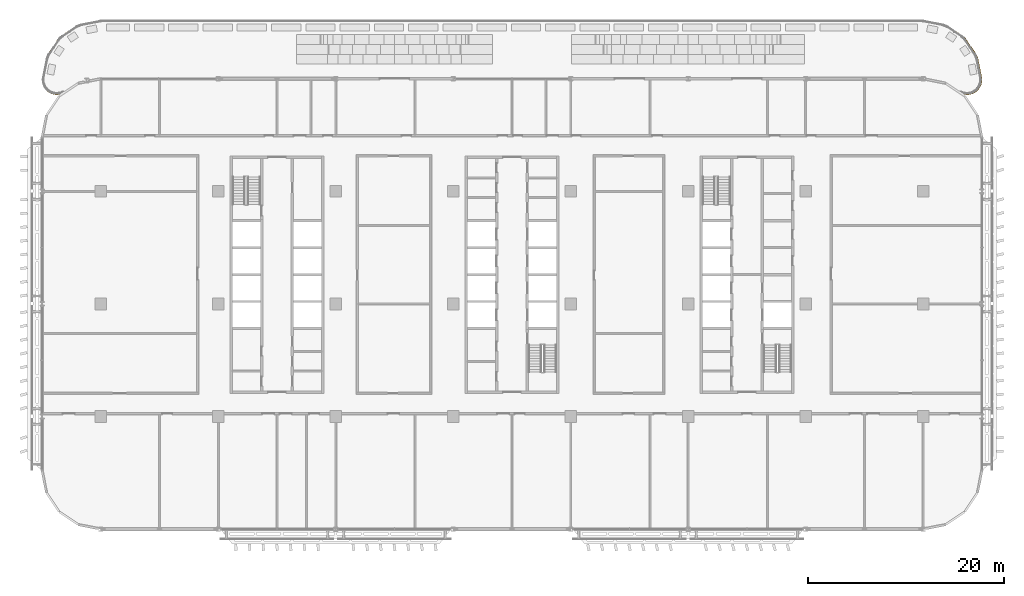
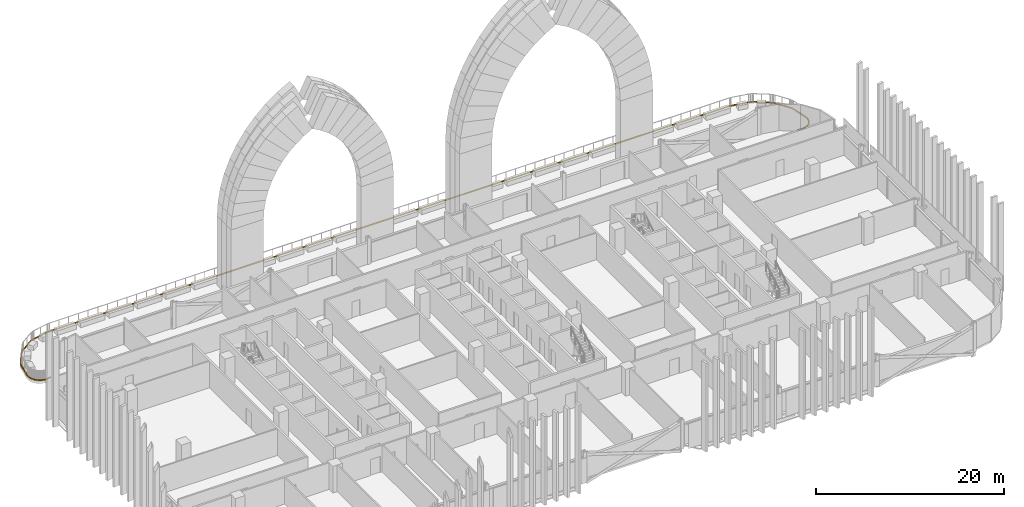
# One storey, part 26 of 30: 1 covering.
"""IFC4 building model written with IfcOpenShell, lengths in metres."""

from ifc_helpers import new_model, si_unit, direction, frame, origin, place, context, subcontext, project, spatial, polyline, outline, extrude, material, layer, layer_set, type_object, element, save


model = new_model("IFC4")

# Units and contexts
model_context = context("Model", 3, precision=1e-05, world=origin(), true_north=direction((0.0, 1.0)))
body_context = subcontext(model_context, "Body", "Model", "MODEL_VIEW")
ifc_project = project(units=[si_unit("LENGTHUNIT", "METRE"), si_unit("AREAUNIT", "SQUARE_METRE"), si_unit("VOLUMEUNIT", "CUBIC_METRE"), si_unit("PLANEANGLEUNIT", "RADIAN"), si_unit("MASSUNIT", "GRAM", prefix="KILO")], contexts=[model_context])

# Site, building, storey
site_placement = place(None, origin())
site = spatial("IfcSite", under=ifc_project, at=site_placement, CompositionType="ELEMENT")
building_placement = place(site_placement, origin())
building = spatial("IfcBuilding", under=site, at=building_placement, Name="Mahtab Terrace Research Tower", CompositionType="ELEMENT")
storey_placement = place(building_placement, frame((0.0, 0.0, 159.199951171875)))
storey = spatial("IfcBuildingStorey", under=building, at=storey_placement, Name="L37", CompositionType="ELEMENT", Elevation=159.199951171875)

# Covering
ifc_material = material(Name="Precast concrete C40/50", Category="concrete")
ifc_layer = layer(ifc_material, 0.199951171875)
ifc_layer_set = layer_set([ifc_layer], Name="Precast coping 400")
covering_type = type_object("IfcCoveringType", Name="Precast coping 400", PredefinedType="MOLDING", material=ifc_layer_set)
covering_placement = place(storey_placement, frame((0.0, 0.0, 0.030029296875)))
element("IfcCovering", 1, at=covering_placement, inside=storey, type_object=covering_type, Name="Terrace edge coping 4.1", PredefinedType="MOLDING", context=body_context, shape_type="SweptSolid", body=[
    extrude(outline(polyline([(46.087890625, 21.5390625), (46.221923828125, 21.5048828125), (46.35791015625, 21.485107421875), (46.4951171875, 21.47802734375), (46.632080078125, 21.485107421875), (46.76708984375, 21.5048828125), (46.90087890625, 21.5390625), (47.031005859375, 21.5849609375), (47.155029296875, 21.64306640625), (47.27197265625, 21.714111328125), (47.383056640625, 21.797119140625), (47.485107421875, 21.887939453125), (47.575927734375, 21.989990234375), (47.658935546875, 22.10107421875), (47.72998046875, 22.218017578125), (47.7880859375, 22.342041015625), (47.833984375, 22.471923828125), (47.867919921875, 22.60595703125), (47.887939453125, 22.740966796875), (47.89501953125, 22.8779296875), (47.887939453125, 23.014892578125), (47.866943359375, 23.154052734375), (47.5029296875, 24.98095703125), (47.469970703125, 25.116943359375), (47.424072265625, 25.2470703125), (47.364990234375, 25.37109375), (47.29296875, 25.490966796875), (46.325927734375, 26.93798828125), (46.243896484375, 27.050048828125), (46.15087890625, 27.15087890625), (46.050048828125, 27.243896484375), (45.93798828125, 27.325927734375), (44.490966796875, 28.29296875), (44.37109375, 28.364990234375), (44.2470703125, 28.424072265625), (44.116943359375, 28.469970703125), (43.98095703125, 28.5029296875), (42.1279296875, 28.8720703125), (41.989013671875, 28.89306640625), (41.85009765625, 28.89990234375), (-41.85009765625, 28.89990234375), (-41.989013671875, 28.89306640625), (-42.1279296875, 28.8720703125), (-43.98095703125, 28.5029296875), (-44.116943359375, 28.469970703125), (-44.2470703125, 28.424072265625), (-44.37109375, 28.364990234375), (-44.490966796875, 28.29296875), (-45.93798828125, 27.325927734375), (-46.050048828125, 27.243896484375), (-46.15087890625, 27.15087890625), (-46.243896484375, 27.050048828125), (-46.325927734375, 26.93798828125), (-47.29296875, 25.490966796875), (-47.364990234375, 25.37109375), (-47.424072265625, 25.2470703125), (-47.469970703125, 25.116943359375), (-47.5029296875, 24.98095703125), (-47.866943359375, 23.154052734375), (-47.887939453125, 23.014892578125), (-47.89501953125, 22.8779296875), (-47.887939453125, 22.740966796875), (-47.867919921875, 22.60595703125), (-47.833984375, 22.471923828125), (-47.7880859375, 22.342041015625), (-47.72998046875, 22.218017578125), (-47.658935546875, 22.10107421875), (-47.575927734375, 21.989990234375), (-47.485107421875, 21.887939453125), (-47.383056640625, 21.797119140625), (-47.27197265625, 21.714111328125), (-47.155029296875, 21.64306640625), (-47.031005859375, 21.5849609375), (-46.90087890625, 21.5390625), (-46.76708984375, 21.5048828125), (-46.632080078125, 21.485107421875), (-46.4951171875, 21.47802734375), (-46.35791015625, 21.485107421875), (-46.221923828125, 21.5048828125), (-46.087890625, 21.5390625), (-45.9609375, 21.583984375), (-45.927978515625, 21.489990234375), (-46.056884765625, 21.444091796875), (-46.06103515625, 21.44189453125), (-46.199951171875, 21.407958984375), (-46.2041015625, 21.406982421875), (-46.344970703125, 21.385009765625), (-46.35107421875, 21.385009765625), (-46.492919921875, 21.3779296875), (-46.4970703125, 21.3779296875), (-46.638916015625, 21.385009765625), (-46.64501953125, 21.385009765625), (-46.784912109375, 21.406982421875), (-46.7890625, 21.407958984375), (-46.927978515625, 21.44189453125), (-46.931884765625, 21.444091796875), (-47.06689453125, 21.490966796875), (-47.071044921875, 21.492919921875), (-47.199951171875, 21.553955078125), (-47.2041015625, 21.555908203125), (-47.325927734375, 21.6298828125), (-47.330078125, 21.632080078125), (-47.444091796875, 21.718017578125), (-47.447998046875, 21.719970703125), (-47.553955078125, 21.81494140625), (-47.55810546875, 21.819091796875), (-47.653076171875, 21.925048828125), (-47.655029296875, 21.928955078125), (-47.740966796875, 22.04296875), (-47.742919921875, 22.047119140625), (-47.81689453125, 22.1689453125), (-47.819091796875, 22.173095703125), (-47.8798828125, 22.302001953125), (-47.882080078125, 22.305908203125), (-47.928955078125, 22.44091796875), (-47.930908203125, 22.445068359375), (-47.965087890625, 22.583984375), (-47.966064453125, 22.587890625), (-47.988037109375, 22.72802734375), (-47.988037109375, 22.73388671875), (-47.9951171875, 22.8759765625), (-47.9951171875, 22.8798828125), (-47.988037109375, 23.02197265625), (-47.988037109375, 23.028076171875), (-47.966064453125, 23.169921875), (-47.966064453125, 23.172119140625), (-47.60107421875, 25.001953125), (-47.60107421875, 25.00390625), (-47.56689453125, 25.14306640625), (-47.56494140625, 25.14794921875), (-47.51708984375, 25.282958984375), (-47.514892578125, 25.287109375), (-47.4541015625, 25.416015625), (-47.451904296875, 25.419921875), (-47.37890625, 25.54296875), (-47.376953125, 25.544921875), (-46.408935546875, 26.993896484375), (-46.406982421875, 26.99609375), (-46.322998046875, 27.111083984375), (-46.319091796875, 27.114990234375), (-46.22412109375, 27.219970703125), (-46.219970703125, 27.22412109375), (-46.114990234375, 27.319091796875), (-46.111083984375, 27.322998046875), (-45.99609375, 27.406982421875), (-45.993896484375, 27.408935546875), (-44.544921875, 28.376953125), (-44.54296875, 28.37890625), (-44.419921875, 28.451904296875), (-44.416015625, 28.4541015625), (-44.287109375, 28.514892578125), (-44.282958984375, 28.51708984375), (-44.14794921875, 28.56494140625), (-44.14306640625, 28.56689453125), (-44.00390625, 28.60107421875), (-44.001953125, 28.60107421875), (-42.14599609375, 28.970947265625), (-42.14404296875, 28.970947265625), (-42.001953125, 28.992919921875), (-41.99609375, 28.992919921875), (-41.85302734375, 29.0), (-41.85107421875, 29.0), (41.85107421875, 29.0), (41.85302734375, 29.0), (41.99609375, 28.992919921875), (42.001953125, 28.992919921875), (42.14404296875, 28.970947265625), (42.14599609375, 28.970947265625), (44.001953125, 28.60107421875), (44.00390625, 28.60107421875), (44.14306640625, 28.56689453125), (44.14794921875, 28.56494140625), (44.282958984375, 28.51708984375), (44.287109375, 28.514892578125), (44.416015625, 28.4541015625), (44.419921875, 28.451904296875), (44.54296875, 28.37890625), (44.544921875, 28.376953125), (45.993896484375, 27.408935546875), (45.99609375, 27.406982421875), (46.111083984375, 27.322998046875), (46.114990234375, 27.319091796875), (46.219970703125, 27.22412109375), (46.22412109375, 27.219970703125), (46.319091796875, 27.114990234375), (46.322998046875, 27.111083984375), (46.406982421875, 26.99609375), (46.408935546875, 26.993896484375), (47.376953125, 25.544921875), (47.37890625, 25.54296875), (47.451904296875, 25.419921875), (47.4541015625, 25.416015625), (47.514892578125, 25.287109375), (47.51708984375, 25.282958984375), (47.56494140625, 25.14794921875), (47.56689453125, 25.14306640625), (47.60107421875, 25.00390625), (47.60107421875, 25.001953125), (47.966064453125, 23.172119140625), (47.966064453125, 23.169921875), (47.988037109375, 23.028076171875), (47.988037109375, 23.02197265625), (47.9951171875, 22.8798828125), (47.9951171875, 22.8759765625), (47.988037109375, 22.73388671875), (47.988037109375, 22.72802734375), (47.966064453125, 22.587890625), (47.965087890625, 22.583984375), (47.930908203125, 22.445068359375), (47.928955078125, 22.44091796875), (47.882080078125, 22.305908203125), (47.8798828125, 22.302001953125), (47.819091796875, 22.173095703125), (47.81689453125, 22.1689453125), (47.742919921875, 22.047119140625), (47.740966796875, 22.04296875), (47.655029296875, 21.928955078125), (47.653076171875, 21.925048828125), (47.55810546875, 21.819091796875), (47.553955078125, 21.81494140625), (47.447998046875, 21.719970703125), (47.444091796875, 21.718017578125), (47.330078125, 21.632080078125), (47.325927734375, 21.6298828125), (47.2041015625, 21.555908203125), (47.199951171875, 21.553955078125), (47.071044921875, 21.492919921875), (47.06689453125, 21.490966796875), (46.931884765625, 21.444091796875), (46.927978515625, 21.44189453125), (46.7890625, 21.407958984375), (46.784912109375, 21.406982421875), (46.64501953125, 21.385009765625), (46.638916015625, 21.385009765625), (46.4970703125, 21.3779296875), (46.492919921875, 21.3779296875), (46.35107421875, 21.385009765625), (46.344970703125, 21.385009765625), (46.2041015625, 21.406982421875), (46.199951171875, 21.407958984375), (46.06103515625, 21.44189453125), (46.056884765625, 21.444091796875), (45.927978515625, 21.489990234375), (45.9609375, 21.583984375), (46.087890625, 21.5390625)])), origin(), (0.0, 0.0, 1.0), 0.080078125),
])

save(model, "model.ifc")
